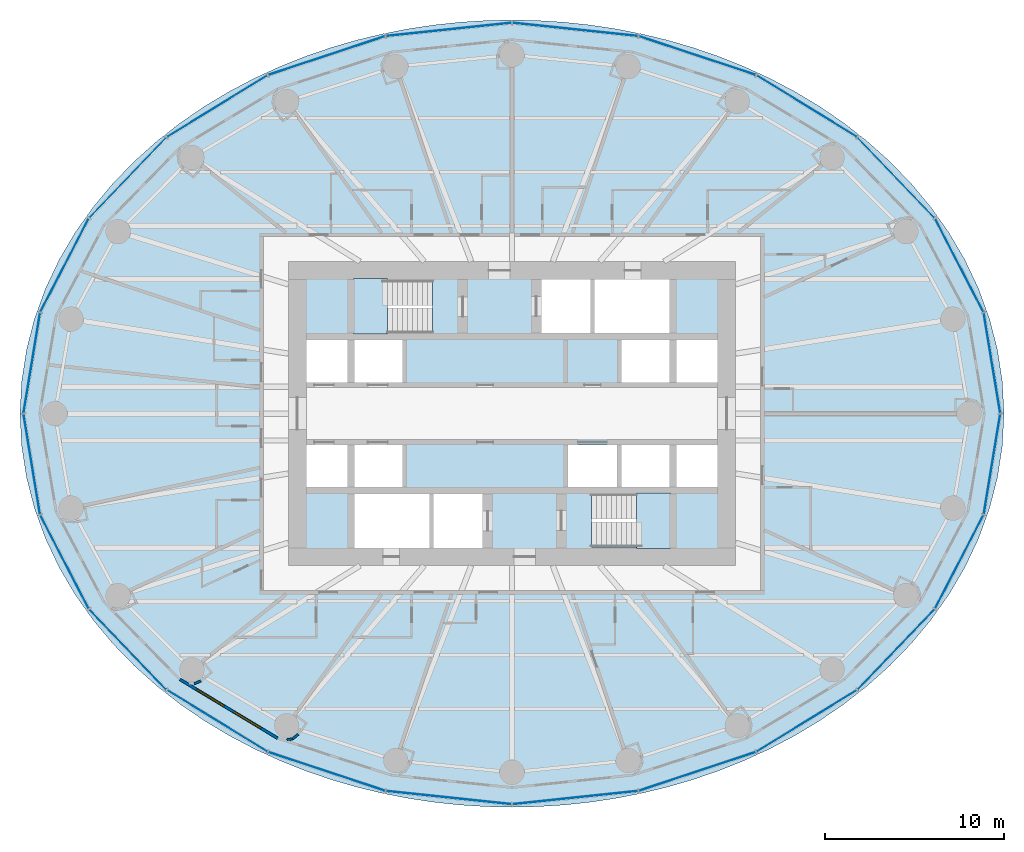
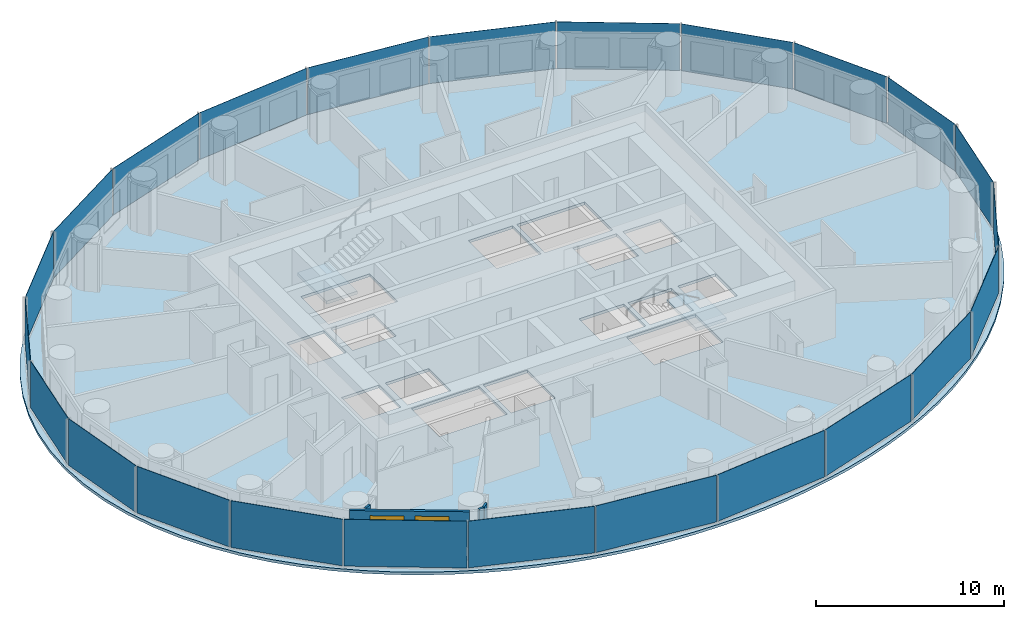
# One storey, part 5 of 13: 24 plates, 4 walls, 3 slabs, 2 windows, 2 openings, 6 elements without a shape of their own.
"""IFC4 building model written with IfcOpenShell, lengths in metres."""

from ifc_helpers import new_model, si_unit, direction, frame, frame_2d, origin, origin_2d, place, context, subcontext, project, spatial, polyline, rectangle, outline, extrude, material, layer, layer_set, type_object, element, fill, aggregate, save


model = new_model("IFC4")

# Units and contexts
model_context = context("Model", 3, precision=1e-05, world=origin(), true_north=direction((0.0, 1.0)))
body_context = subcontext(model_context, "Body", "Model", "MODEL_VIEW")
ifc_project = project(units=[si_unit("LENGTHUNIT", "METRE"), si_unit("AREAUNIT", "SQUARE_METRE"), si_unit("VOLUMEUNIT", "CUBIC_METRE"), si_unit("PLANEANGLEUNIT", "RADIAN"), si_unit("MASSUNIT", "GRAM", prefix="KILO")], contexts=[model_context])

# Site, building, storey
site_placement = place(None, origin())
site = spatial("IfcSite", under=ifc_project, at=site_placement, CompositionType="ELEMENT")
building_placement = place(site_placement, origin())
building = spatial("IfcBuilding", under=site, at=building_placement, Name="Hankou Lantern Tower", CompositionType="ELEMENT")
storey_placement = place(building_placement, frame((0.0, 0.0, 80.39990234375)))
storey = spatial("IfcBuildingStorey", under=building, at=storey_placement, Name="L20", CompositionType="ELEMENT", Elevation=80.39990234375)

# Curtain wall, plates
ifc_material_1 = material(Name="Glass, dark grey tinted laminated", Category="glass")
curtain_wall_type = type_object("IfcCurtainWallType", Name="CWA OUTER SKIN LOW-RISE", PredefinedType="USERDEFINED", material=ifc_material_1)
curtain_wall_1_placement = place(storey_placement, origin())
curtain_wall_1 = element("IfcCurtainWall", 1, at=curtain_wall_1_placement, inside=storey, type_object=curtain_wall_type, Name="CWA L20 OS1", ObjectType="OUTER SKIN LOW-RISE", PredefinedType="USERDEFINED")
ifc_material_2 = material(Name="Glass, dark grey tinted laminated", Category="glass")
ifc_layer_1 = layer(ifc_material_2, 0.02392578125)
ifc_layer_set_1 = layer_set([ifc_layer_1], Name="Glass, dark grey tinted laminated")
plate_type = type_object("IfcPlateType", Name="PN1 OUTER SKIN GLASS PANEL", PredefinedType="CURTAIN_PANEL", material=ifc_layer_set_1)
plate_1_placement = place(storey_placement, frame((26.8349609375, 2.826416015625, 0.080078125), z_axis=(0.0, 0.0, 1.0), x_axis=(-0.162381515188, 0.986728049427, 0.0)))
plate_1 = element("IfcPlate", 2, at=plate_1_placement, type_object=plate_type, Name="CWA glass panel 1", PredefinedType="CURTAIN_PANEL", context=body_context, shape_type="SweptSolid", body=[
    extrude(rectangle(XDim=5.648681640625, YDim=0.02392578125, at=origin_2d()), origin(), (0.0, 0.0, 1.0), 3.0400390625),
])
plate_2_placement = place(storey_placement, frame((25.006103515625, 8.286376953125, 0.080078125), z_axis=(0.0, 0.0, 1.0), x_axis=(-0.459791091957, 0.888027112062, 0.0)))
plate_2 = element("IfcPlate", 3, at=plate_2_placement, type_object=plate_type, Name="CWA glass panel 2", PredefinedType="CURTAIN_PANEL", context=body_context, shape_type="SweptSolid", body=[
    extrude(rectangle(XDim=5.8515625, YDim=0.02392578125, at=origin_2d()), origin(), (0.0, 0.0, 1.0), 3.0400390625),
])
plate_3_placement = place(storey_placement, frame((21.47314453125, 13.181640625, 0.080078125), z_axis=(0.0, 0.0, 1.0), x_axis=(-0.692215809936, 0.721690565599, 0.0)))
plate_3 = element("IfcPlate", 4, at=plate_3_placement, type_object=plate_type, Name="CWA glass panel 3", PredefinedType="CURTAIN_PANEL", context=body_context, shape_type="SweptSolid", body=[
    extrude(rectangle(XDim=6.1875, YDim=0.02392578125, at=origin_2d()), origin(), (0.0, 0.0, 1.0), 3.0400390625),
])
plate_4_placement = place(storey_placement, frame((16.47705078125, 17.1787109375, 0.080078125), z_axis=(0.0, 0.0, 1.0), x_axis=(-0.852237151549, 0.523155653242, 0.0)))
plate_4 = element("IfcPlate", 5, at=plate_4_placement, type_object=plate_type, Name="CWA glass panel 4", PredefinedType="CURTAIN_PANEL", context=body_context, shape_type="SweptSolid", body=[
    extrude(rectangle(XDim=6.554443359375, YDim=0.02392578125, at=origin_2d()), origin(), (0.0, 0.0, 1.0), 3.0400390625),
])
plate_5_placement = place(storey_placement, frame((10.35791015625, 20.0048828125, 0.080078125), z_axis=(0.0, 0.0, 1.0), x_axis=(-0.949240677293, 0.31455068999, 0.0)))
plate_5 = element("IfcPlate", 6, at=plate_5_placement, type_object=plate_type, Name="CWA glass panel 5", PredefinedType="CURTAIN_PANEL", context=body_context, shape_type="SweptSolid", body=[
    extrude(rectangle(XDim=6.856201171875, YDim=0.02392578125, at=origin_2d()), origin(), (0.0, 0.0, 1.0), 3.0400390625),
])
plate_6_placement = place(storey_placement, frame((3.532958984375, 21.468017578125, 0.080078125), z_axis=(0.0, 0.0, 1.0), x_axis=(-0.994499359107, 0.104742659579, 0.0)))
plate_6 = element("IfcPlate", 7, at=plate_6_placement, type_object=plate_type, Name="CWA glass panel 6", PredefinedType="CURTAIN_PANEL", context=body_context, shape_type="SweptSolid", body=[
    extrude(rectangle(XDim=7.02490234375, YDim=0.02392578125, at=origin_2d()), origin(), (0.0, 0.0, 1.0), 3.0400390625),
])
aggregate(curtain_wall_1, [plate_1, plate_2, plate_3, plate_4, plate_5, plate_6])

curtain_wall_2_placement = place(storey_placement, origin())
curtain_wall_2 = element("IfcCurtainWall", 8, at=curtain_wall_2_placement, inside=storey, type_object=curtain_wall_type, Name="CWA L20 OS2", ObjectType="OUTER SKIN LOW-RISE", PredefinedType="USERDEFINED")
plate_7_placement = place(storey_placement, frame((-3.532958984375, 21.468017578125, 0.080078125), z_axis=(0.0, 0.0, 1.0), x_axis=(-0.994499359107, -0.104742659579, 0.0)))
plate_7 = element("IfcPlate", 9, at=plate_7_placement, type_object=plate_type, Name="CWA glass panel 1", PredefinedType="CURTAIN_PANEL", context=body_context, shape_type="SweptSolid", body=[
    extrude(rectangle(XDim=7.02490234375, YDim=0.02392578125, at=origin_2d()), origin(), (0.0, 0.0, 1.0), 3.0400390625),
])
plate_8_placement = place(storey_placement, frame((-10.35791015625, 20.0048828125, 0.080078125), z_axis=(0.0, 0.0, 1.0), x_axis=(-0.949240677293, -0.31455068999, 0.0)))
plate_8 = element("IfcPlate", 10, at=plate_8_placement, type_object=plate_type, Name="CWA glass panel 2", PredefinedType="CURTAIN_PANEL", context=body_context, shape_type="SweptSolid", body=[
    extrude(rectangle(XDim=6.856201171875, YDim=0.02392578125, at=origin_2d()), origin(), (0.0, 0.0, 1.0), 3.0400390625),
])
plate_9_placement = place(storey_placement, frame((-16.47705078125, 17.1787109375, 0.080078125), z_axis=(0.0, 0.0, 1.0), x_axis=(-0.852237151549, -0.523155653242, 0.0)))
plate_9 = element("IfcPlate", 11, at=plate_9_placement, type_object=plate_type, Name="CWA glass panel 3", PredefinedType="CURTAIN_PANEL", context=body_context, shape_type="SweptSolid", body=[
    extrude(rectangle(XDim=6.554443359375, YDim=0.02392578125, at=origin_2d()), origin(), (0.0, 0.0, 1.0), 3.0400390625),
])
plate_10_placement = place(storey_placement, frame((-21.47314453125, 13.181640625, 0.080078125), z_axis=(0.0, 0.0, 1.0), x_axis=(-0.692215809936, -0.721690565599, 0.0)))
plate_10 = element("IfcPlate", 12, at=plate_10_placement, type_object=plate_type, Name="CWA glass panel 4", PredefinedType="CURTAIN_PANEL", context=body_context, shape_type="SweptSolid", body=[
    extrude(rectangle(XDim=6.1875, YDim=0.02392578125, at=origin_2d()), origin(), (0.0, 0.0, 1.0), 3.0400390625),
])
plate_11_placement = place(storey_placement, frame((-25.006103515625, 8.286376953125, 0.080078125), z_axis=(0.0, 0.0, 1.0), x_axis=(-0.459791091957, -0.888027112062, 0.0)))
plate_11 = element("IfcPlate", 13, at=plate_11_placement, type_object=plate_type, Name="CWA glass panel 5", PredefinedType="CURTAIN_PANEL", context=body_context, shape_type="SweptSolid", body=[
    extrude(rectangle(XDim=5.8515625, YDim=0.02392578125, at=origin_2d()), origin(), (0.0, 0.0, 1.0), 3.0400390625),
])
plate_12_placement = place(storey_placement, frame((-26.8349609375, 2.826416015625, 0.080078125), z_axis=(0.0, 0.0, 1.0), x_axis=(-0.162381515188, -0.986728049427, 0.0)))
plate_12 = element("IfcPlate", 14, at=plate_12_placement, type_object=plate_type, Name="CWA glass panel 6", PredefinedType="CURTAIN_PANEL", context=body_context, shape_type="SweptSolid", body=[
    extrude(rectangle(XDim=5.648681640625, YDim=0.02392578125, at=origin_2d()), origin(), (0.0, 0.0, 1.0), 3.0400390625),
])
aggregate(curtain_wall_2, [plate_7, plate_8, plate_9, plate_10, plate_11, plate_12])

curtain_wall_3_placement = place(storey_placement, origin())
curtain_wall_3 = element("IfcCurtainWall", 15, at=curtain_wall_3_placement, inside=storey, type_object=curtain_wall_type, Name="CWA L20 OS3", ObjectType="OUTER SKIN LOW-RISE", PredefinedType="USERDEFINED")
plate_13_placement = place(storey_placement, frame((-26.8349609375, -2.826416015625, 0.080078125), z_axis=(0.0, 0.0, 1.0), x_axis=(0.162381515188, -0.986728049427, 0.0)))
plate_13 = element("IfcPlate", 16, at=plate_13_placement, type_object=plate_type, Name="CWA glass panel 1", PredefinedType="CURTAIN_PANEL", context=body_context, shape_type="SweptSolid", body=[
    extrude(rectangle(XDim=5.648681640625, YDim=0.02392578125, at=origin_2d()), origin(), (0.0, 0.0, 1.0), 3.0400390625),
])
plate_14_placement = place(storey_placement, frame((-25.006103515625, -8.286376953125, 0.080078125), z_axis=(0.0, 0.0, 1.0), x_axis=(0.459791091957, -0.888027112062, 0.0)))
plate_14 = element("IfcPlate", 17, at=plate_14_placement, type_object=plate_type, Name="CWA glass panel 2", PredefinedType="CURTAIN_PANEL", context=body_context, shape_type="SweptSolid", body=[
    extrude(rectangle(XDim=5.8515625, YDim=0.02392578125, at=origin_2d()), origin(), (0.0, 0.0, 1.0), 3.0400390625),
])
plate_15_placement = place(storey_placement, frame((-21.47314453125, -13.181640625, 0.080078125), z_axis=(0.0, 0.0, 1.0), x_axis=(0.692215809936, -0.721690565599, 0.0)))
plate_15 = element("IfcPlate", 18, at=plate_15_placement, type_object=plate_type, Name="CWA glass panel 3", PredefinedType="CURTAIN_PANEL", context=body_context, shape_type="SweptSolid", body=[
    extrude(rectangle(XDim=6.1875, YDim=0.02392578125, at=origin_2d()), origin(), (0.0, 0.0, 1.0), 3.0400390625),
])
plate_16_placement = place(storey_placement, frame((-16.47705078125, -17.1787109375, 0.080078125), z_axis=(0.0, 0.0, 1.0), x_axis=(0.852237151549, -0.523155653242, 0.0)))
plate_16 = element("IfcPlate", 19, at=plate_16_placement, type_object=plate_type, Name="CWA glass panel 4", PredefinedType="CURTAIN_PANEL", context=body_context, shape_type="SweptSolid", body=[
    extrude(rectangle(XDim=6.554443359375, YDim=0.02392578125, at=origin_2d()), origin(), (0.0, 0.0, 1.0), 3.0400390625),
])
plate_17_placement = place(storey_placement, frame((-10.35791015625, -20.0048828125, 0.080078125), z_axis=(0.0, 0.0, 1.0), x_axis=(0.949240677293, -0.31455068999, 0.0)))
plate_17 = element("IfcPlate", 20, at=plate_17_placement, type_object=plate_type, Name="CWA glass panel 5", PredefinedType="CURTAIN_PANEL", context=body_context, shape_type="SweptSolid", body=[
    extrude(rectangle(XDim=6.856201171875, YDim=0.02392578125, at=origin_2d()), origin(), (0.0, 0.0, 1.0), 3.0400390625),
])
plate_18_placement = place(storey_placement, frame((-3.532958984375, -21.468017578125, 0.080078125), z_axis=(0.0, 0.0, 1.0), x_axis=(0.994499359107, -0.104742659579, 0.0)))
plate_18 = element("IfcPlate", 21, at=plate_18_placement, type_object=plate_type, Name="CWA glass panel 6", PredefinedType="CURTAIN_PANEL", context=body_context, shape_type="SweptSolid", body=[
    extrude(rectangle(XDim=7.02490234375, YDim=0.02392578125, at=origin_2d()), origin(), (0.0, 0.0, 1.0), 3.0400390625),
])
aggregate(curtain_wall_3, [plate_13, plate_14, plate_15, plate_16, plate_17, plate_18])

curtain_wall_4_placement = place(storey_placement, origin())
curtain_wall_4 = element("IfcCurtainWall", 22, at=curtain_wall_4_placement, inside=storey, type_object=curtain_wall_type, Name="CWA L20 OS4", ObjectType="OUTER SKIN LOW-RISE", PredefinedType="USERDEFINED")
plate_19_placement = place(storey_placement, frame((3.532958984375, -21.468017578125, 0.080078125), z_axis=(0.0, 0.0, 1.0), x_axis=(0.994499359107, 0.104742659579, 0.0)))
plate_19 = element("IfcPlate", 23, at=plate_19_placement, type_object=plate_type, Name="CWA glass panel 1", PredefinedType="CURTAIN_PANEL", context=body_context, shape_type="SweptSolid", body=[
    extrude(rectangle(XDim=7.02490234375, YDim=0.02392578125, at=origin_2d()), origin(), (0.0, 0.0, 1.0), 3.0400390625),
])
plate_20_placement = place(storey_placement, frame((10.35791015625, -20.0048828125, 0.080078125), z_axis=(0.0, 0.0, 1.0), x_axis=(0.949240677293, 0.31455068999, 0.0)))
plate_20 = element("IfcPlate", 24, at=plate_20_placement, type_object=plate_type, Name="CWA glass panel 2", PredefinedType="CURTAIN_PANEL", context=body_context, shape_type="SweptSolid", body=[
    extrude(rectangle(XDim=6.856201171875, YDim=0.02392578125, at=origin_2d()), origin(), (0.0, 0.0, 1.0), 3.0400390625),
])
plate_21_placement = place(storey_placement, frame((16.47705078125, -17.1787109375, 0.080078125), z_axis=(0.0, 0.0, 1.0), x_axis=(0.852237151549, 0.523155653242, 0.0)))
plate_21 = element("IfcPlate", 25, at=plate_21_placement, type_object=plate_type, Name="CWA glass panel 3", PredefinedType="CURTAIN_PANEL", context=body_context, shape_type="SweptSolid", body=[
    extrude(rectangle(XDim=6.554443359375, YDim=0.02392578125, at=origin_2d()), origin(), (0.0, 0.0, 1.0), 3.0400390625),
])
plate_22_placement = place(storey_placement, frame((21.47314453125, -13.181640625, 0.080078125), z_axis=(0.0, 0.0, 1.0), x_axis=(0.692215809936, 0.721690565599, 0.0)))
plate_22 = element("IfcPlate", 26, at=plate_22_placement, type_object=plate_type, Name="CWA glass panel 4", PredefinedType="CURTAIN_PANEL", context=body_context, shape_type="SweptSolid", body=[
    extrude(rectangle(XDim=6.1875, YDim=0.02392578125, at=origin_2d()), origin(), (0.0, 0.0, 1.0), 3.0400390625),
])
plate_23_placement = place(storey_placement, frame((25.006103515625, -8.286376953125, 0.080078125), z_axis=(0.0, 0.0, 1.0), x_axis=(0.459791091957, 0.888027112062, 0.0)))
plate_23 = element("IfcPlate", 27, at=plate_23_placement, type_object=plate_type, Name="CWA glass panel 5", PredefinedType="CURTAIN_PANEL", context=body_context, shape_type="SweptSolid", body=[
    extrude(rectangle(XDim=5.8515625, YDim=0.02392578125, at=origin_2d()), origin(), (0.0, 0.0, 1.0), 3.0400390625),
])
plate_24_placement = place(storey_placement, frame((26.8349609375, -2.826416015625, 0.080078125), z_axis=(0.0, 0.0, 1.0), x_axis=(0.162381515188, 0.986728049427, 0.0)))
plate_24 = element("IfcPlate", 28, at=plate_24_placement, type_object=plate_type, Name="CWA glass panel 6", PredefinedType="CURTAIN_PANEL", context=body_context, shape_type="SweptSolid", body=[
    extrude(rectangle(XDim=5.648681640625, YDim=0.02392578125, at=origin_2d()), origin(), (0.0, 0.0, 1.0), 3.0400390625),
])
aggregate(curtain_wall_4, [plate_19, plate_20, plate_21, plate_22, plate_23, plate_24])

# Slab
ifc_material_3 = material(Name="Concrete C50", Category="concrete")
ifc_layer_2 = layer(ifc_material_3, 0.179931640625)
ifc_layer_set_2 = layer_set([ifc_layer_2], Name="Concrete C50")
slab_type_1 = type_object("IfcSlabType", Name="S1 CONCRETE FLOOR SLAB 180", PredefinedType="FLOOR", material=ifc_layer_set_2)
slab_1_placement = place(storey_placement, frame((0.0, 0.0, -0.179931640625)))
element("IfcSlab", 29, at=slab_1_placement, inside=storey, type_object=slab_type_1, Name="Floor slab L20", PredefinedType="FLOOR", context=body_context, shape_type="SweptSolid", body=[
    extrude(outline(polyline([(27.5, 0.0), (27.408203125, 1.79638671875), (27.135009765625, 3.572509765625), (26.6875, 5.308349609375), (26.076171875, 6.987060546875), (25.3154296875, 8.593505859375), (24.420654296875, 10.115478515625), (23.40966796875, 11.54443359375), (22.29931640625, 12.87451171875), (21.1064453125, 14.102783203125), (19.846435546875, 15.228759765625), (18.533447265625, 16.25341796875), (17.17919921875, 17.17919921875), (15.794189453125, 18.009765625), (14.38671875, 18.749267578125), (12.964111328125, 19.402099609375), (11.53125, 19.972412109375), (10.09228515625, 20.46484375), (8.650146484375, 20.88330078125), (7.20703125, 21.23095703125), (5.763916015625, 21.51123046875), (4.32177734375, 21.7265625), (2.88037109375, 21.87890625), (1.43994140625, 21.9697265625), (0.0, 22.0), (-1.43994140625, 21.9697265625), (-2.88037109375, 21.87890625), (-4.32177734375, 21.7265625), (-5.763916015625, 21.51123046875), (-7.20703125, 21.23095703125), (-8.650146484375, 20.88330078125), (-10.09228515625, 20.46484375), (-11.53125, 19.972412109375), (-12.964111328125, 19.402099609375), (-14.38671875, 18.749267578125), (-15.794189453125, 18.009765625), (-17.17919921875, 17.17919921875), (-18.533447265625, 16.25341796875), (-19.846435546875, 15.228759765625), (-21.1064453125, 14.102783203125), (-22.29931640625, 12.87451171875), (-23.40966796875, 11.54443359375), (-24.420654296875, 10.115478515625), (-25.3154296875, 8.593505859375), (-26.076171875, 6.987060546875), (-26.6875, 5.308349609375), (-27.135009765625, 3.572509765625), (-27.408203125, 1.79638671875), (-27.5, 0.0), (-27.408203125, -1.79638671875), (-27.135009765625, -3.572509765625), (-26.6875, -5.308349609375), (-26.076171875, -6.987060546875), (-25.3154296875, -8.593505859375), (-24.420654296875, -10.115478515625), (-23.40966796875, -11.54443359375), (-22.29931640625, -12.87451171875), (-21.1064453125, -14.102783203125), (-19.846435546875, -15.228759765625), (-18.533447265625, -16.25341796875), (-17.17919921875, -17.17919921875), (-15.794189453125, -18.009765625), (-14.38671875, -18.749267578125), (-12.964111328125, -19.402099609375), (-11.53125, -19.972412109375), (-10.09228515625, -20.46484375), (-8.650146484375, -20.88330078125), (-7.20703125, -21.23095703125), (-5.763916015625, -21.51123046875), (-4.32177734375, -21.7265625), (-2.88037109375, -21.87890625), (-1.43994140625, -21.9697265625), (0.0, -22.0), (1.43994140625, -21.9697265625), (2.88037109375, -21.87890625), (4.32177734375, -21.7265625), (5.763916015625, -21.51123046875), (7.20703125, -21.23095703125), (8.650146484375, -20.88330078125), (10.09228515625, -20.46484375), (11.53125, -19.972412109375), (12.964111328125, -19.402099609375), (14.38671875, -18.749267578125), (15.794189453125, -18.009765625), (17.17919921875, -17.17919921875), (18.533447265625, -16.25341796875), (19.846435546875, -15.228759765625), (21.1064453125, -14.102783203125), (22.29931640625, -12.87451171875), (23.40966796875, -11.54443359375), (24.420654296875, -10.115478515625), (25.3154296875, -8.593505859375), (26.076171875, -6.987060546875), (26.6875, -5.308349609375), (27.135009765625, -3.572509765625), (27.408203125, -1.79638671875), (27.5, 0.0)]), holes=[polyline([(-11.5, 4.10009765625), (-9.199951171875, 4.10009765625), (-9.199951171875, 1.75), (-11.5, 1.75), (-11.5, 4.10009765625)]), polyline([(-8.800048828125, 4.10009765625), (-6.125, 4.10009765625), (-6.125, 1.75), (-8.800048828125, 1.75), (-8.800048828125, 4.10009765625)]), polyline([(6.125, 4.10009765625), (8.800048828125, 4.10009765625), (8.800048828125, 1.75), (6.125, 1.75), (6.125, 4.10009765625)]), polyline([(9.199951171875, 4.10009765625), (11.5, 4.10009765625), (11.5, 1.75), (9.199951171875, 1.75), (9.199951171875, 4.10009765625)]), polyline([(-11.5, -1.75), (-9.199951171875, -1.75), (-9.199951171875, -4.10009765625), (-11.5, -4.10009765625), (-11.5, -1.75)]), polyline([(-8.800048828125, -1.75), (-6.125, -1.75), (-6.125, -4.10009765625), (-8.800048828125, -4.10009765625), (-8.800048828125, -1.75)]), polyline([(3.125, -1.75), (5.875, -1.75), (5.875, -4.10009765625), (3.125, -4.10009765625), (3.125, -1.75)]), polyline([(6.125, -1.75), (8.800048828125, -1.75), (8.800048828125, -4.10009765625), (6.125, -4.10009765625), (6.125, -1.75)]), polyline([(9.199951171875, -1.75), (11.5, -1.75), (11.5, -4.10009765625), (9.199951171875, -4.10009765625), (9.199951171875, -1.75)]), polyline([(1.64990234375, 7.5), (4.375, 7.5), (4.375, 4.5), (1.64990234375, 4.5), (1.64990234375, 7.5)]), polyline([(-4.375, -4.5), (-1.64990234375, -4.5), (-1.64990234375, -7.5), (-4.375, -7.5), (-4.375, -4.5)]), polyline([(-8.699951171875, 7.449951171875), (-4.449951171875, 7.449951171875), (-4.449951171875, 4.5), (-8.699951171875, 4.5), (-8.699951171875, 7.449951171875)]), polyline([(4.449951171875, -4.5), (8.699951171875, -4.5), (8.699951171875, -7.449951171875), (4.449951171875, -7.449951171875), (4.449951171875, -4.5)]), polyline([(4.625, 7.5), (8.800048828125, 7.5), (8.800048828125, 4.5), (4.625, 4.5), (4.625, 7.5)]), polyline([(-8.800048828125, -4.5), (-4.625, -4.5), (-4.625, -7.5), (-8.800048828125, -7.5), (-8.800048828125, -4.5)])]), origin(), (0.0, 0.0, 1.0), 0.179931640625),
])

# Stair, slab
ifc_material_4 = material(Name="Concrete C40", Category="concrete")
stair_type = type_object("IfcStairType", Name="ST33 CORE STAIR 3300 RISE", PredefinedType="HALF_TURN_STAIR", material=ifc_material_4)
stair_1_placement = place(storey_placement, origin())
stair_1 = element("IfcStair", 30, at=stair_1_placement, inside=storey, type_object=stair_type, Name="Stair STA L20", PredefinedType="HALF_TURN_STAIR")
ifc_material_5 = material(Name="Concrete C40", Category="concrete")
ifc_layer_3 = layer(ifc_material_5, 0.199951171875)
ifc_layer_set_3 = layer_set([ifc_layer_3], Name="Concrete C40")
slab_type_2 = type_object("IfcSlabType", Name="SL1 STAIR LANDING 200", PredefinedType="LANDING", material=ifc_layer_set_3)
slab_2_placement = place(storey_placement, frame((0.0, 0.0, 1.37158203125)))
slab_2 = element("IfcSlab", 31, at=slab_2_placement, type_object=slab_type_2, Name="STA landing 1", PredefinedType="LANDING", context=body_context, shape_type="SweptSolid", body=[
    extrude(outline(polyline([(-8.85009765625, 4.449951171875), (-6.949951171875, 4.449951171875), (-6.949951171875, 7.550048828125), (-8.85009765625, 7.550048828125), (-8.85009765625, 4.449951171875)])), origin(), (0.0, 0.0, 1.0), 0.199951171875),
])
aggregate(stair_1, [slab_2])

stair_2_placement = place(storey_placement, origin())
stair_2 = element("IfcStair", 32, at=stair_2_placement, inside=storey, type_object=stair_type, Name="Stair STB L20", PredefinedType="HALF_TURN_STAIR")
slab_3_placement = place(storey_placement, frame((0.0, 0.0, 1.37158203125)))
slab_3 = element("IfcSlab", 33, at=slab_3_placement, type_object=slab_type_2, Name="STB landing 1", PredefinedType="LANDING", context=body_context, shape_type="SweptSolid", body=[
    extrude(outline(polyline([(8.85009765625, -4.449951171875), (6.949951171875, -4.449951171875), (6.949951171875, -7.550048828125), (8.85009765625, -7.550048828125), (8.85009765625, -4.449951171875)])), origin(), (0.0, 0.0, 1.0), 0.199951171875),
])
aggregate(stair_2, [slab_3])

# Wall, openings, windows
ifc_material_6 = material(Name="Aluminium spandrel panel on steel studs", Category="steel")
ifc_layer_4 = layer(ifc_material_6, 0.14990234375)
ifc_layer_set_4 = layer_set([ifc_layer_4], Name="Aluminium spandrel panel on steel studs")
wall_type_1 = type_object("IfcWallType", Name="EW1 INNER SKIN WALL 150", PredefinedType="ELEMENTEDWALL", material=ifc_layer_set_4)
wall_1_placement = place(storey_placement, frame((-18.569580078125, -14.855712890625, 0.0), z_axis=(0.0, 0.0, 1.0), x_axis=(0.856983180864, -0.515344377787, 0.0)))
wall_1 = element("IfcWall", 34, at=wall_1_placement, inside=storey, type_object=wall_type_1, Name="Inner skin R16-R17 L20", PredefinedType="ELEMENTEDWALL", context=body_context, shape_type="SweptSolid", body=[
    extrude(rectangle(XDim=6.386474609375, YDim=0.14990234375, at=frame_2d((3.193359375, 0.0))), origin(), (0.0, 0.0, 1.0), 3.1201171875),
])
opening_1_placement = place(wall_1_placement, frame((1.09326171875, 0.0, 0.89990234375)))
opening_1 = element("IfcOpeningElement", 35, at=opening_1_placement, cuts=wall_1, Name="Opening W1", PredefinedType="OPENING", context=body_context, shape_type="SweptSolid", body=[
    extrude(rectangle(XDim=1.800048828125, YDim=1.89990234375, at=frame_2d((0.89990234375, 0.949951171875))), frame((0.0, 0.0849609375, 0.0), z_axis=(0.0, -1.0, 0.0), x_axis=(1.0, 0.0, 0.0)), (0.0, 0.0, 1.0), 0.169921875),
])
opening_2_placement = place(wall_1_placement, frame((3.4931640625, 0.0, 0.89990234375)))
opening_2 = element("IfcOpeningElement", 36, at=opening_2_placement, cuts=wall_1, Name="Opening W1", PredefinedType="OPENING", context=body_context, shape_type="SweptSolid", body=[
    extrude(rectangle(XDim=1.800048828125, YDim=1.89990234375, at=frame_2d((0.89990234375, 0.949951171875))), frame((0.0, 0.0849609375, 0.0), z_axis=(0.0, -1.0, 0.0), x_axis=(1.0, 0.0, 0.0)), (0.0, 0.0, 1.0), 0.169921875),
])
ifc_material_7 = material(Name="Aluminium framed double glazed window", Category="aluminium")
window_type = type_object("IfcWindowType", Name="W1 GUEST ROOM WINDOW 1800X1900", PartitioningType="DOUBLE_PANEL_VERTICAL", PredefinedType="WINDOW", material=ifc_material_7)
window_1_placement = place(opening_1_placement, origin())
window_1 = element("IfcWindow", 37, at=window_1_placement, inside=storey, type_object=window_type, Name="Window R16.1 L20", OverallHeight=1.89990234375, OverallWidth=1.800048828125, PartitioningType="SINGLE_PANEL", PredefinedType="WINDOW", context=body_context, shape_type="SweptSolid", body=[
    extrude(rectangle(XDim=1.800048828125, YDim=1.89990234375, at=frame_2d((0.89990234375, 0.949951171875))), frame((0.0, 0.030029296875, 0.0), z_axis=(0.0, -1.0, 0.0), x_axis=(1.0, 0.0, 0.0)), (0.0, 0.0, 1.0), 0.06005859375),
])
fill(opening_1, window_1)
window_2_placement = place(opening_2_placement, origin())
window_2 = element("IfcWindow", 38, at=window_2_placement, inside=storey, type_object=window_type, Name="Window R16.2 L20", OverallHeight=1.89990234375, OverallWidth=1.800048828125, PartitioningType="SINGLE_PANEL", PredefinedType="WINDOW", context=body_context, shape_type="SweptSolid", body=[
    extrude(rectangle(XDim=1.800048828125, YDim=1.89990234375, at=frame_2d((0.89990234375, 0.949951171875))), frame((0.0, 0.030029296875, 0.0), z_axis=(0.0, -1.0, 0.0), x_axis=(1.0, 0.0, 0.0)), (0.0, 0.0, 1.0), 0.06005859375),
])
fill(opening_2, window_2)

# Walls
ifc_material_8 = material(Name="Masonry lightweight concrete block", Category="masonry")
ifc_layer_5 = layer(ifc_material_8, 0.1201171875)
ifc_layer_set_5 = layer_set([ifc_layer_5], Name="Masonry lightweight concrete block")
wall_type_2 = type_object("IfcWallType", Name="IW4 PARTITION 120", PredefinedType="PARTITIONING", material=ifc_layer_set_5)
wall_2_placement = place(storey_placement, frame((-17.38720703125, -14.94384765625, 0.0), z_axis=(0.0, 0.0, 1.0), x_axis=(-0.916036698064, -0.401094462441, 0.0)))
element("IfcWall", 39, at=wall_2_placement, inside=storey, type_object=wall_type_2, Name="Column casing R16", PredefinedType="PARTITIONING", context=body_context, shape_type="SweptSolid", body=[
    extrude(rectangle(XDim=0.418212890625, YDim=0.1201171875, at=frame_2d((0.208984375, 0.0))), origin(), (0.0, 0.0, 1.0), 3.1201171875),
])
wall_3_placement = place(storey_placement, frame((-11.93603515625, -17.9189453125, 0.0), z_axis=(0.0, 0.0, 1.0), x_axis=(-0.775023088441, -0.631932917629, 0.0)))
element("IfcWall", 40, at=wall_3_placement, inside=storey, type_object=wall_type_2, Name="Column casing R17", PredefinedType="PARTITIONING", context=body_context, shape_type="SweptSolid", body=[
    extrude(rectangle(XDim=0.41796875, YDim=0.1201171875, at=frame_2d((0.208984375, 0.0))), origin(), (0.0, 0.0, 1.0), 3.1201171875),
])
wall_4_placement = place(storey_placement, frame((-12.260009765625, -18.18310546875, 0.0), z_axis=(0.0, 0.0, 1.0), x_axis=(-0.987218661664, -0.159371622511, 0.0)))
element("IfcWall", 41, at=wall_4_placement, inside=storey, type_object=wall_type_2, Name="Column casing R17", PredefinedType="PARTITIONING", context=body_context, shape_type="SweptSolid", body=[
    extrude(rectangle(XDim=0.330810546875, YDim=0.1201171875, at=frame_2d((0.16552734375, 0.0))), origin(), (0.0, 0.0, 1.0), 3.1201171875),
])

save(model, "model.ifc")
